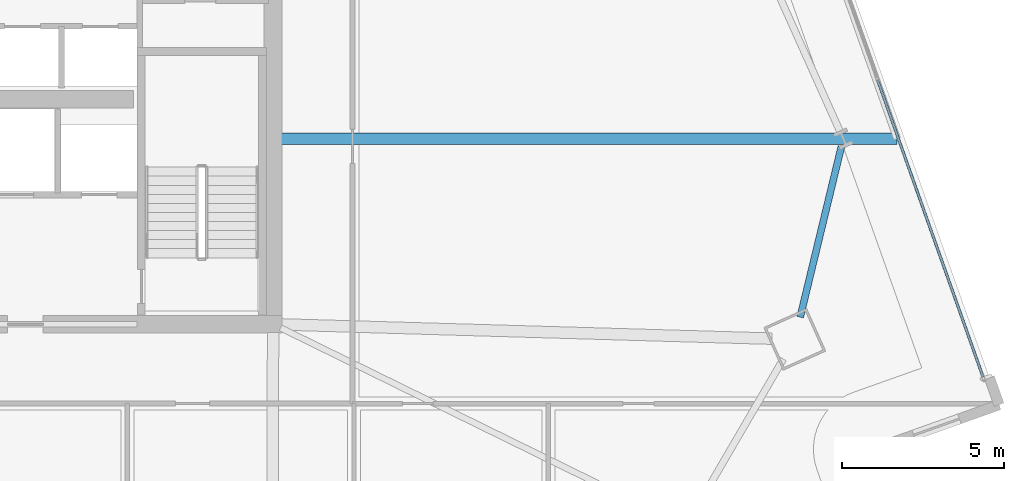
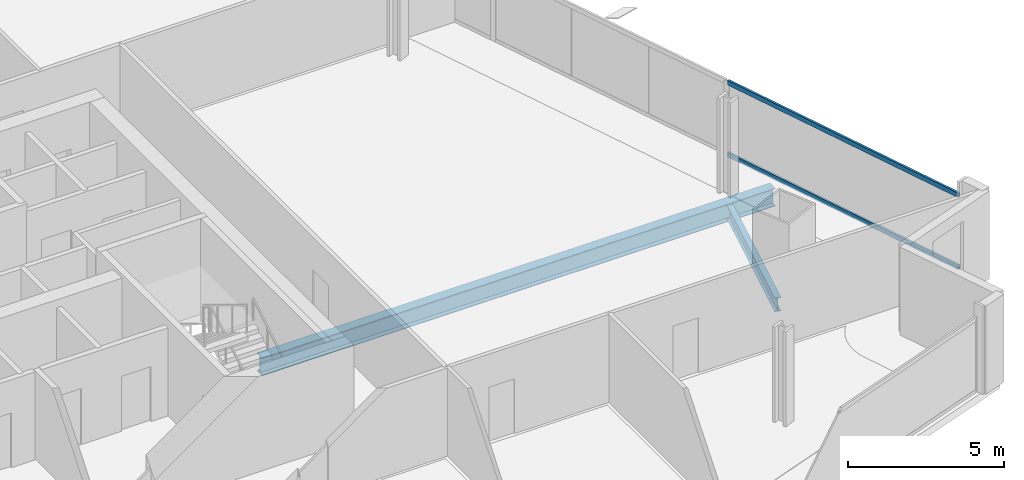
# One storey, part 13 of 33: 2 beams, 2 members, 1 element without a shape of its own.
"""IFC4 building model written with IfcOpenShell, lengths in metres."""

from ifc_helpers import new_model, si_unit, direction, frame, origin, origin_2d, place, context, subcontext, project, spatial, hollow_rectangle, i_section, extrude, material, material_profile, profile_set, type_object, element, aggregate, save


model = new_model("IFC4")

# Units and contexts
model_context = context("Model", 3, precision=1e-05, world=origin(), true_north=direction((0.0, 1.0)))
body_context = subcontext(model_context, "Body", "Model", "MODEL_VIEW")
ifc_project = project(units=[si_unit("LENGTHUNIT", "METRE"), si_unit("AREAUNIT", "SQUARE_METRE"), si_unit("VOLUMEUNIT", "CUBIC_METRE"), si_unit("PLANEANGLEUNIT", "RADIAN"), si_unit("MASSUNIT", "GRAM", prefix="KILO")], contexts=[model_context])

# Site, building, storey
site_placement = place(None, origin())
site = spatial("IfcSite", under=ifc_project, at=site_placement, CompositionType="ELEMENT")
building_placement = place(site_placement, origin())
building = spatial("IfcBuilding", under=site, at=building_placement, Name="Haldenkirk Collegiate Tower", CompositionType="ELEMENT")
storey_placement = place(building_placement, frame((0.0, 0.0, 94.199951171875)))
storey = spatial("IfcBuildingStorey", under=building, at=storey_placement, Name="L22", CompositionType="ELEMENT", Elevation=94.199951171875)

# Beams
ifc_material_1 = material(Name="Steel ASTM A992 Grade 50", Category="steel")
ifc_material_profile_1 = material_profile(ifc_material_1, i_section(OverallWidth=0.35498046875, OverallDepth=0.696044921875, WebThickness=0.015380859375, FlangeThickness=0.02490234375, at=origin_2d()), Name="W27X146")
ifc_profile_set_1 = profile_set([ifc_material_profile_1], Name="Steel ASTM A992 Grade 50")
beam_type_1 = type_object("IfcBeamType", Name="BM-GIRDER-W27X146", PredefinedType="BEAM", material=ifc_profile_set_1)
beam_1_placement = place(storey_placement, frame((64.270263671875, 23.727294921875, -0.64794921875), z_axis=(-1.0, 0.0, 0.0), x_axis=(0.0, -1.0, 0.0)))
element("IfcBeam", 1, at=beam_1_placement, inside=storey, type_object=beam_type_1, Name="L22 primary floor girder 08", PredefinedType="BEAM", context=body_context, shape_type="SweptSolid", body=[
    extrude(i_section(OverallWidth=0.35498046875, OverallDepth=0.696044921875, WebThickness=0.015380859375, FlangeThickness=0.02490234375, at=origin_2d()), origin(), (0.0, 0.0, 1.0), 19.015380859375),
])
ifc_material_profile_2 = material_profile(ifc_material_1, i_section(OverallWidth=0.2119140625, OverallDepth=0.5439453125, WebThickness=0.01318359375, FlangeThickness=0.021240234375, at=origin_2d()), Name="W21X83")
ifc_profile_set_2 = profile_set([ifc_material_profile_2], Name="Steel ASTM A992 Grade 50")
beam_type_2 = type_object("IfcBeamType", Name="BM-SPANDREL-W21X83", PredefinedType="SPANDREL", material=ifc_profile_set_2)
beam_2_placement = place(storey_placement, frame((61.277587890625, 18.21826171875, -0.572021484375), z_axis=(0.234815122269, 0.972040049768, 0.0), x_axis=(-0.972040049768, 0.234815122269, 0.0)))
element("IfcBeam", 2, at=beam_2_placement, inside=storey, type_object=beam_type_2, Name="L22 perimeter spandrel beam 05", PredefinedType="SPANDREL", context=body_context, shape_type="SweptSolid", body=[
    extrude(i_section(OverallWidth=0.2119140625, OverallDepth=0.5439453125, WebThickness=0.01318359375, FlangeThickness=0.021240234375, at=origin_2d()), origin(), (0.0, 0.0, 1.0), 5.422119140625),
])

# Curtain wall, members
ifc_material_2 = material(Name="Anodised architectural bronze aluminium", Category="aluminium")
curtain_wall_type = type_object("IfcCurtainWallType", Name="CW-SYS1-CONVEX-LOW", PredefinedType="USERDEFINED", material=ifc_material_2)
curtain_wall_placement = place(storey_placement, origin())
curtain_wall = element("IfcCurtainWall", 3, at=curtain_wall_placement, inside=storey, type_object=curtain_wall_type, Name="L22 Lower tower convex bronze-framed unitised curtain wall", ObjectType="UNITISED CURTAIN WALL", PredefinedType="USERDEFINED")
ifc_material_profile_3 = material_profile(ifc_material_2, hollow_rectangle(XDim=0.080078125, YDim=0.179931640625, WallThickness=0.0048828125, at=origin_2d()), Name="CW-TRN-1A")
ifc_profile_set_3 = profile_set([ifc_material_profile_3], Name="Anodised architectural bronze aluminium")
member_type = type_object("IfcMemberType", Name="CW-TRN-1A", PredefinedType="USERDEFINED", material=ifc_profile_set_3)
member_1_placement = place(storey_placement, frame((63.668212890625, 25.542236328125, 0.0400390625), z_axis=(0.334647788087, -0.942343280301, 0.0), x_axis=(0.942343280301, 0.334647788087, 0.0)))
member_1 = element("IfcMember", 4, at=member_1_placement, type_object=member_type, Name="CW-1A transom 4.1", ObjectType="TRANSOM", PredefinedType="USERDEFINED", context=body_context, shape_type="SweptSolid", body=[
    extrude(hollow_rectangle(XDim=0.080078125, YDim=0.179931640625, WallThickness=0.0048828125, at=origin_2d()), origin(), (0.0, 0.0, 1.0), 9.72998046875),
])
member_2_placement = place(storey_placement, frame((63.668212890625, 25.542236328125, 2.861083984375), z_axis=(0.334647788087, -0.942343280301, 0.0), x_axis=(0.942343280301, 0.334647788087, 0.0)))
member_2 = element("IfcMember", 5, at=member_2_placement, type_object=member_type, Name="CW-1A transom 4.2", ObjectType="TRANSOM", PredefinedType="USERDEFINED", context=body_context, shape_type="SweptSolid", body=[
    extrude(hollow_rectangle(XDim=0.080078125, YDim=0.179931640625, WallThickness=0.0048828125, at=origin_2d()), origin(), (0.0, 0.0, 1.0), 9.72998046875),
])
aggregate(curtain_wall, [member_1, member_2])

save(model, "model.ifc")
